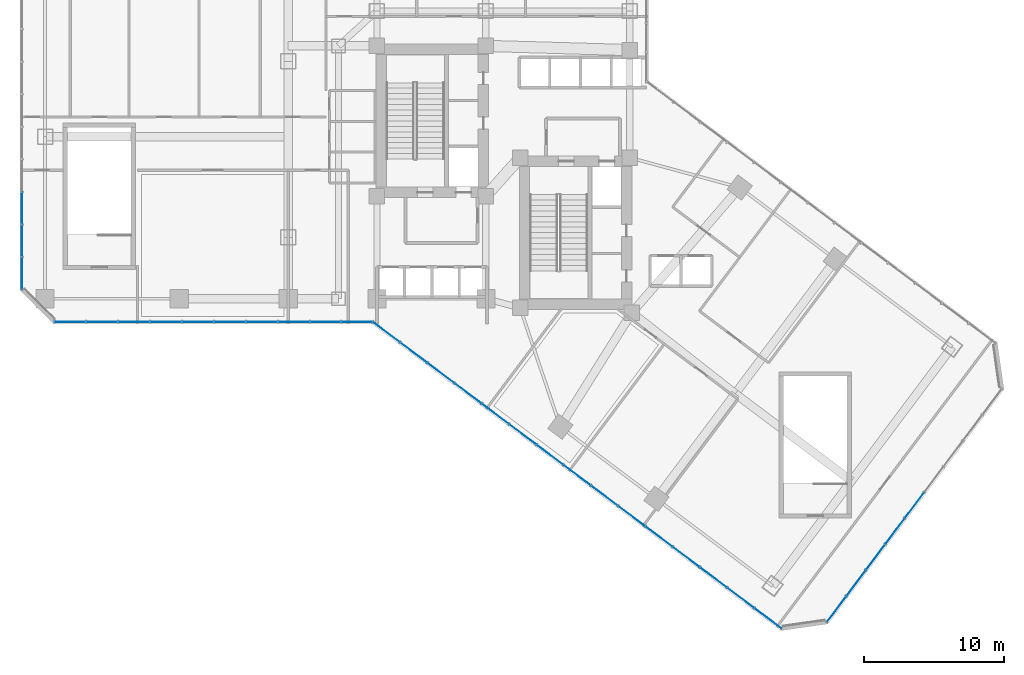
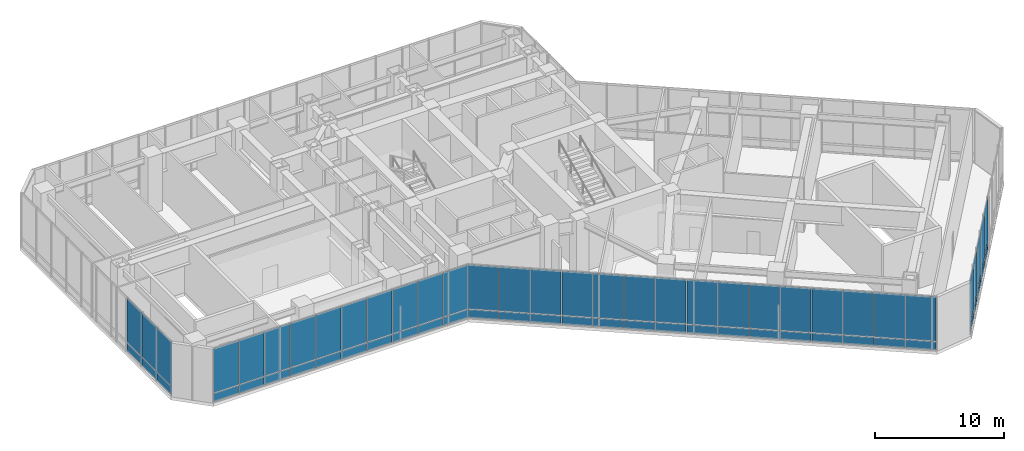
# One storey, part 30 of 38: 66 plates, 5 elements without a shape of their own.
"""IFC4 building model written with IfcOpenShell, lengths in metres."""

from ifc_helpers import new_model, si_unit, direction, frame, origin, origin_2d, place, context, subcontext, project, spatial, rectangle, extrude, material, layer, layer_set, type_object, element, aggregate, save


model = new_model("IFC4")

# Units and contexts
model_context = context("Model", 3, precision=1e-05, world=origin(), true_north=direction((0.0, 1.0)))
body_context = subcontext(model_context, "Body", "Model", "MODEL_VIEW")
ifc_project = project(units=[si_unit("LENGTHUNIT", "METRE"), si_unit("AREAUNIT", "SQUARE_METRE"), si_unit("VOLUMEUNIT", "CUBIC_METRE"), si_unit("PLANEANGLEUNIT", "RADIAN"), si_unit("MASSUNIT", "GRAM", prefix="KILO")], contexts=[model_context])

# Site, building, storey
site_placement = place(None, origin())
site = spatial("IfcSite", under=ifc_project, at=site_placement, CompositionType="ELEMENT")
building_placement = place(site_placement, origin())
building = spatial("IfcBuilding", under=site, at=building_placement, Name="Hatsunagi Terrace Concourse", CompositionType="ELEMENT")
storey_placement = place(building_placement, frame((0.0, 0.0, 21.60009765625)))
storey = spatial("IfcBuildingStorey", under=building, at=storey_placement, Name="L05", CompositionType="ELEMENT", Elevation=21.60009765625)

# Curtain wall, plates
ifc_material_1 = material(Name="Anodised Aluminium Alloy 6063-T5", Category="aluminium")
ifc_layer_1 = layer(ifc_material_1, 0.199951171875)
ifc_layer_set_1 = layer_set([ifc_layer_1], Name="PodiumStorefront_CW01")
curtain_wall_type = type_object("IfcCurtainWallType", Name="PodiumStorefront_CW01", PredefinedType="NOTDEFINED", material=ifc_layer_set_1)
curtain_wall_1_placement = place(storey_placement, origin())
curtain_wall_1 = element("IfcCurtainWall", 1, at=curtain_wall_1_placement, inside=storey, type_object=curtain_wall_type, Name="Unitised Curtain Wall CW-01 CW-L05-03", PredefinedType="NOTDEFINED")
ifc_material_2 = material(Name="Warm Terracotta Ceramic Spandrel Panel", Category="masonry")
ifc_layer_2 = layer(ifc_material_2, 0.031982421875)
ifc_layer_set_2 = layer_set([ifc_layer_2], Name="CurtainWallSpandrelPanel_32")
plate_type_1 = type_object("IfcPlateType", Name="CurtainWallSpandrelPanel_32", PredefinedType="SHEET", material=ifc_layer_set_2)
plate_1_placement = place(storey_placement, frame((64.028076171875, 10.404052734375, 0.02978515625), z_axis=(0.0, 0.0, 1.0), x_axis=(-0.599969314634, -0.800023013105, 0.0)))
plate_1 = element("IfcPlate", 2, at=plate_1_placement, type_object=plate_type_1, Name="Terracotta Spandrel Panel SPN-01", PredefinedType="SHEET", context=body_context, shape_type="SweptSolid", body=[
    extrude(rectangle(XDim=2.264892578125, YDim=0.031982421875, at=origin_2d()), origin(), (0.0, 0.0, 1.0), 0.7900390625),
])
plate_2_placement = place(storey_placement, frame((62.635986328125, 8.548095703125, 0.02978515625), z_axis=(0.0, 0.0, 1.0), x_axis=(-0.599969314634, -0.800023013105, 0.0)))
plate_2 = element("IfcPlate", 3, at=plate_2_placement, type_object=plate_type_1, Name="Terracotta Spandrel Panel SPN-01", PredefinedType="SHEET", context=body_context, shape_type="SweptSolid", body=[
    extrude(rectangle(XDim=2.264892578125, YDim=0.031982421875, at=origin_2d()), origin(), (0.0, 0.0, 1.0), 0.7900390625),
])
plate_3_placement = place(storey_placement, frame((61.243896484375, 6.69091796875, 0.02978515625), z_axis=(0.0, 0.0, 1.0), x_axis=(-0.599969314634, -0.800023013105, 0.0)))
plate_3 = element("IfcPlate", 4, at=plate_3_placement, type_object=plate_type_1, Name="Terracotta Spandrel Panel SPN-01", PredefinedType="SHEET", context=body_context, shape_type="SweptSolid", body=[
    extrude(rectangle(XDim=2.264892578125, YDim=0.031982421875, at=origin_2d()), origin(), (0.0, 0.0, 1.0), 0.7900390625),
])
plate_4_placement = place(storey_placement, frame((59.85107421875, 4.8349609375, 0.02978515625), z_axis=(0.0, 0.0, 1.0), x_axis=(-0.599969314634, -0.800023013105, 0.0)))
plate_4 = element("IfcPlate", 5, at=plate_4_placement, type_object=plate_type_1, Name="Terracotta Spandrel Panel SPN-01", PredefinedType="SHEET", context=body_context, shape_type="SweptSolid", body=[
    extrude(rectangle(XDim=2.264892578125, YDim=0.031982421875, at=origin_2d()), origin(), (0.0, 0.0, 1.0), 0.7900390625),
])
plate_5_placement = place(storey_placement, frame((58.458984375, 2.97802734375, 0.02978515625), z_axis=(0.0, 0.0, 1.0), x_axis=(-0.599969314634, -0.800023013105, 0.0)))
plate_5 = element("IfcPlate", 6, at=plate_5_placement, type_object=plate_type_1, Name="Terracotta Spandrel Panel SPN-01", PredefinedType="SHEET", context=body_context, shape_type="SweptSolid", body=[
    extrude(rectangle(XDim=2.264892578125, YDim=0.031982421875, at=origin_2d()), origin(), (0.0, 0.0, 1.0), 0.7900390625),
])

curtain_wall_2_placement = place(storey_placement, origin())
curtain_wall_2 = element("IfcCurtainWall", 7, at=curtain_wall_2_placement, inside=storey, type_object=curtain_wall_type, Name="Unitised Curtain Wall CW-01 CW-L05-05", PredefinedType="NOTDEFINED")
plate_6_placement = place(storey_placement, frame((53.5419921875, 2.319091796875, 0.02978515625), z_axis=(0.0, 0.0, 1.0), x_axis=(-0.800003116929, 0.599995844072, 0.0)))
plate_6 = element("IfcPlate", 8, at=plate_6_placement, type_object=plate_type_1, Name="Terracotta Spandrel Panel SPN-01", PredefinedType="SHEET", context=body_context, shape_type="SweptSolid", body=[
    extrude(rectangle(XDim=2.384033203125, YDim=0.031982421875, at=origin_2d()), origin(), (0.0, 0.0, 1.0), 0.7900390625),
])
plate_7_placement = place(storey_placement, frame((51.591064453125, 3.781982421875, 0.02978515625), z_axis=(0.0, 0.0, 1.0), x_axis=(-0.800003116929, 0.599995844072, 0.0)))
plate_7 = element("IfcPlate", 9, at=plate_7_placement, type_object=plate_type_1, Name="Terracotta Spandrel Panel SPN-01", PredefinedType="SHEET", context=body_context, shape_type="SweptSolid", body=[
    extrude(rectangle(XDim=2.384033203125, YDim=0.031982421875, at=origin_2d()), origin(), (0.0, 0.0, 1.0), 0.7900390625),
])
plate_8_placement = place(storey_placement, frame((49.638916015625, 5.24609375, 0.02978515625), z_axis=(0.0, 0.0, 1.0), x_axis=(-0.800003116929, 0.599995844072, 0.0)))
plate_8 = element("IfcPlate", 10, at=plate_8_placement, type_object=plate_type_1, Name="Terracotta Spandrel Panel SPN-01", PredefinedType="SHEET", context=body_context, shape_type="SweptSolid", body=[
    extrude(rectangle(XDim=2.384033203125, YDim=0.031982421875, at=origin_2d()), origin(), (0.0, 0.0, 1.0), 0.7900390625),
])
plate_9_placement = place(storey_placement, frame((47.68798828125, 6.708984375, 0.02978515625), z_axis=(0.0, 0.0, 1.0), x_axis=(-0.800003116929, 0.599995844072, 0.0)))
plate_9 = element("IfcPlate", 11, at=plate_9_placement, type_object=plate_type_1, Name="Terracotta Spandrel Panel SPN-01", PredefinedType="SHEET", context=body_context, shape_type="SweptSolid", body=[
    extrude(rectangle(XDim=2.384033203125, YDim=0.031982421875, at=origin_2d()), origin(), (0.0, 0.0, 1.0), 0.7900390625),
])
plate_10_placement = place(storey_placement, frame((45.737060546875, 8.173095703125, 0.02978515625), z_axis=(0.0, 0.0, 1.0), x_axis=(-0.800003116929, 0.599995844072, 0.0)))
plate_10 = element("IfcPlate", 12, at=plate_10_placement, type_object=plate_type_1, Name="Terracotta Spandrel Panel SPN-01", PredefinedType="SHEET", context=body_context, shape_type="SweptSolid", body=[
    extrude(rectangle(XDim=2.384033203125, YDim=0.031982421875, at=origin_2d()), origin(), (0.0, 0.0, 1.0), 0.7900390625),
])
plate_11_placement = place(storey_placement, frame((43.784912109375, 9.635986328125, 0.02978515625), z_axis=(0.0, 0.0, 1.0), x_axis=(-0.800003116929, 0.599995844072, 0.0)))
plate_11 = element("IfcPlate", 13, at=plate_11_placement, type_object=plate_type_1, Name="Terracotta Spandrel Panel SPN-01", PredefinedType="SHEET", context=body_context, shape_type="SweptSolid", body=[
    extrude(rectangle(XDim=2.384033203125, YDim=0.031982421875, at=origin_2d()), origin(), (0.0, 0.0, 1.0), 0.7900390625),
])
plate_12_placement = place(storey_placement, frame((41.833984375, 11.10009765625, 0.02978515625), z_axis=(0.0, 0.0, 1.0), x_axis=(-0.800003116929, 0.599995844072, 0.0)))
plate_12 = element("IfcPlate", 14, at=plate_12_placement, type_object=plate_type_1, Name="Terracotta Spandrel Panel SPN-01", PredefinedType="SHEET", context=body_context, shape_type="SweptSolid", body=[
    extrude(rectangle(XDim=2.384033203125, YDim=0.031982421875, at=origin_2d()), origin(), (0.0, 0.0, 1.0), 0.7900390625),
])
plate_13_placement = place(storey_placement, frame((39.883056640625, 12.56298828125, 0.02978515625), z_axis=(0.0, 0.0, 1.0), x_axis=(-0.800003116929, 0.599995844072, 0.0)))
plate_13 = element("IfcPlate", 15, at=plate_13_placement, type_object=plate_type_1, Name="Terracotta Spandrel Panel SPN-01", PredefinedType="SHEET", context=body_context, shape_type="SweptSolid", body=[
    extrude(rectangle(XDim=2.384033203125, YDim=0.031982421875, at=origin_2d()), origin(), (0.0, 0.0, 1.0), 0.7900390625),
])
plate_14_placement = place(storey_placement, frame((37.930908203125, 14.027099609375, 0.02978515625), z_axis=(0.0, 0.0, 1.0), x_axis=(-0.800003116929, 0.599995844072, 0.0)))
plate_14 = element("IfcPlate", 16, at=plate_14_placement, type_object=plate_type_1, Name="Terracotta Spandrel Panel SPN-01", PredefinedType="SHEET", context=body_context, shape_type="SweptSolid", body=[
    extrude(rectangle(XDim=2.384033203125, YDim=0.031982421875, at=origin_2d()), origin(), (0.0, 0.0, 1.0), 0.7900390625),
])
plate_15_placement = place(storey_placement, frame((35.97998046875, 15.490966796875, 0.02978515625), z_axis=(0.0, 0.0, 1.0), x_axis=(-0.800003116929, 0.599995844072, 0.0)))
plate_15 = element("IfcPlate", 17, at=plate_15_placement, type_object=plate_type_1, Name="Terracotta Spandrel Panel SPN-01", PredefinedType="SHEET", context=body_context, shape_type="SweptSolid", body=[
    extrude(rectangle(XDim=2.384033203125, YDim=0.031982421875, at=origin_2d()), origin(), (0.0, 0.0, 1.0), 0.7900390625),
])
plate_16_placement = place(storey_placement, frame((34.028076171875, 16.9541015625, 0.02978515625), z_axis=(0.0, 0.0, 1.0), x_axis=(-0.800003116929, 0.599995844072, 0.0)))
plate_16 = element("IfcPlate", 18, at=plate_16_placement, type_object=plate_type_1, Name="Terracotta Spandrel Panel SPN-01", PredefinedType="SHEET", context=body_context, shape_type="SweptSolid", body=[
    extrude(rectangle(XDim=2.384033203125, YDim=0.031982421875, at=origin_2d()), origin(), (0.0, 0.0, 1.0), 0.7900390625),
])
plate_17_placement = place(storey_placement, frame((32.076904296875, 18.41796875, 0.02978515625), z_axis=(0.0, 0.0, 1.0), x_axis=(-0.800003116929, 0.599995844072, 0.0)))
plate_17 = element("IfcPlate", 19, at=plate_17_placement, type_object=plate_type_1, Name="Terracotta Spandrel Panel SPN-01", PredefinedType="SHEET", context=body_context, shape_type="SweptSolid", body=[
    extrude(rectangle(XDim=2.384033203125, YDim=0.031982421875, at=origin_2d()), origin(), (0.0, 0.0, 1.0), 0.7900390625),
])
plate_18_placement = place(storey_placement, frame((30.1259765625, 19.881103515625, 0.02978515625), z_axis=(0.0, 0.0, 1.0), x_axis=(-0.800003116929, 0.599995844072, 0.0)))
plate_18 = element("IfcPlate", 20, at=plate_18_placement, type_object=plate_type_1, Name="Terracotta Spandrel Panel SPN-01", PredefinedType="SHEET", context=body_context, shape_type="SweptSolid", body=[
    extrude(rectangle(XDim=2.384033203125, YDim=0.031982421875, at=origin_2d()), origin(), (0.0, 0.0, 1.0), 0.7900390625),
])
plate_19_placement = place(storey_placement, frame((28.174072265625, 21.344970703125, 0.02978515625), z_axis=(0.0, 0.0, 1.0), x_axis=(-0.800003116929, 0.599995844072, 0.0)))
plate_19 = element("IfcPlate", 21, at=plate_19_placement, type_object=plate_type_1, Name="Terracotta Spandrel Panel SPN-01", PredefinedType="SHEET", context=body_context, shape_type="SweptSolid", body=[
    extrude(rectangle(XDim=2.384033203125, YDim=0.031982421875, at=origin_2d()), origin(), (0.0, 0.0, 1.0), 0.7900390625),
])
plate_20_placement = place(storey_placement, frame((26.222900390625, 22.80810546875, 0.02978515625), z_axis=(0.0, 0.0, 1.0), x_axis=(-0.800003116929, 0.599995844072, 0.0)))
plate_20 = element("IfcPlate", 22, at=plate_20_placement, type_object=plate_type_1, Name="Terracotta Spandrel Panel SPN-01", PredefinedType="SHEET", context=body_context, shape_type="SweptSolid", body=[
    extrude(rectangle(XDim=2.384033203125, YDim=0.031982421875, at=origin_2d()), origin(), (0.0, 0.0, 1.0), 0.7900390625),
])

curtain_wall_3_placement = place(storey_placement, origin())
curtain_wall_3 = element("IfcCurtainWall", 23, at=curtain_wall_3_placement, inside=storey, type_object=curtain_wall_type, Name="Unitised Curtain Wall CW-01 CW-L05-06", PredefinedType="NOTDEFINED")
plate_21_placement = place(storey_placement, frame((24.1220703125, 23.5400390625, 0.02978515625), z_axis=(0.0, 0.0, 1.0), x_axis=(-1.0, 0.0, 0.0)))
plate_21 = element("IfcPlate", 24, at=plate_21_placement, type_object=plate_type_1, Name="Terracotta Spandrel Panel SPN-01", PredefinedType="SHEET", context=body_context, shape_type="SweptSolid", body=[
    extrude(rectangle(XDim=2.194091796875, YDim=0.031982421875, at=origin_2d()), origin(), (0.0, 0.0, 1.0), 0.7900390625),
])
plate_22_placement = place(storey_placement, frame((21.873046875, 23.5400390625, 0.02978515625), z_axis=(0.0, 0.0, 1.0), x_axis=(-1.0, 0.0, 0.0)))
plate_22 = element("IfcPlate", 25, at=plate_22_placement, type_object=plate_type_1, Name="Terracotta Spandrel Panel SPN-01", PredefinedType="SHEET", context=body_context, shape_type="SweptSolid", body=[
    extrude(rectangle(XDim=2.194091796875, YDim=0.031982421875, at=origin_2d()), origin(), (0.0, 0.0, 1.0), 0.7900390625),
])
plate_23_placement = place(storey_placement, frame((19.6240234375, 23.5400390625, 0.02978515625), z_axis=(0.0, 0.0, 1.0), x_axis=(-1.0, 0.0, 0.0)))
plate_23 = element("IfcPlate", 26, at=plate_23_placement, type_object=plate_type_1, Name="Terracotta Spandrel Panel SPN-01", PredefinedType="SHEET", context=body_context, shape_type="SweptSolid", body=[
    extrude(rectangle(XDim=2.194091796875, YDim=0.031982421875, at=origin_2d()), origin(), (0.0, 0.0, 1.0), 0.7900390625),
])

curtain_wall_4_placement = place(storey_placement, origin())
curtain_wall_4 = element("IfcCurtainWall", 27, at=curtain_wall_4_placement, inside=storey, type_object=curtain_wall_type, Name="Unitised Curtain Wall CW-01 CW-L05-07", PredefinedType="NOTDEFINED")
plate_24_placement = place(storey_placement, frame((17.35400390625, 23.5400390625, 0.02978515625), z_axis=(0.0, 0.0, 1.0), x_axis=(-1.0, 0.0, 0.0)))
plate_24 = element("IfcPlate", 28, at=plate_24_placement, type_object=plate_type_1, Name="Terracotta Spandrel Panel SPN-01", PredefinedType="SHEET", context=body_context, shape_type="SweptSolid", body=[
    extrude(rectangle(XDim=2.237060546875, YDim=0.031982421875, at=origin_2d()), origin(), (0.0, 0.0, 1.0), 0.7900390625),
])
plate_25_placement = place(storey_placement, frame((15.06201171875, 23.5400390625, 0.02978515625), z_axis=(0.0, 0.0, 1.0), x_axis=(-1.0, 0.0, 0.0)))
plate_25 = element("IfcPlate", 29, at=plate_25_placement, type_object=plate_type_1, Name="Terracotta Spandrel Panel SPN-01", PredefinedType="SHEET", context=body_context, shape_type="SweptSolid", body=[
    extrude(rectangle(XDim=2.237060546875, YDim=0.031982421875, at=origin_2d()), origin(), (0.0, 0.0, 1.0), 0.7900390625),
])
plate_26_placement = place(storey_placement, frame((12.77099609375, 23.5400390625, 0.02978515625), z_axis=(0.0, 0.0, 1.0), x_axis=(-1.0, 0.0, 0.0)))
plate_26 = element("IfcPlate", 30, at=plate_26_placement, type_object=plate_type_1, Name="Terracotta Spandrel Panel SPN-01", PredefinedType="SHEET", context=body_context, shape_type="SweptSolid", body=[
    extrude(rectangle(XDim=2.237060546875, YDim=0.031982421875, at=origin_2d()), origin(), (0.0, 0.0, 1.0), 0.7900390625),
])
plate_27_placement = place(storey_placement, frame((10.47900390625, 23.5400390625, 0.02978515625), z_axis=(0.0, 0.0, 1.0), x_axis=(-1.0, 0.0, 0.0)))
plate_27 = element("IfcPlate", 31, at=plate_27_placement, type_object=plate_type_1, Name="Terracotta Spandrel Panel SPN-01", PredefinedType="SHEET", context=body_context, shape_type="SweptSolid", body=[
    extrude(rectangle(XDim=2.237060546875, YDim=0.031982421875, at=origin_2d()), origin(), (0.0, 0.0, 1.0), 0.7900390625),
])
plate_28_placement = place(storey_placement, frame((8.18701171875, 23.5400390625, 0.02978515625), z_axis=(0.0, 0.0, 1.0), x_axis=(-1.0, 0.0, 0.0)))
plate_28 = element("IfcPlate", 32, at=plate_28_placement, type_object=plate_type_1, Name="Terracotta Spandrel Panel SPN-01", PredefinedType="SHEET", context=body_context, shape_type="SweptSolid", body=[
    extrude(rectangle(XDim=2.237060546875, YDim=0.031982421875, at=origin_2d()), origin(), (0.0, 0.0, 1.0), 0.7900390625),
])
plate_29_placement = place(storey_placement, frame((5.89599609375, 23.5400390625, 0.02978515625), z_axis=(0.0, 0.0, 1.0), x_axis=(-1.0, 0.0, 0.0)))
plate_29 = element("IfcPlate", 33, at=plate_29_placement, type_object=plate_type_1, Name="Terracotta Spandrel Panel SPN-01", PredefinedType="SHEET", context=body_context, shape_type="SweptSolid", body=[
    extrude(rectangle(XDim=2.237060546875, YDim=0.031982421875, at=origin_2d()), origin(), (0.0, 0.0, 1.0), 0.7900390625),
])
plate_30_placement = place(storey_placement, frame((3.60400390625, 23.5400390625, 0.02978515625), z_axis=(0.0, 0.0, 1.0), x_axis=(-1.0, 0.0, 0.0)))
plate_30 = element("IfcPlate", 34, at=plate_30_placement, type_object=plate_type_1, Name="Terracotta Spandrel Panel SPN-01", PredefinedType="SHEET", context=body_context, shape_type="SweptSolid", body=[
    extrude(rectangle(XDim=2.237060546875, YDim=0.031982421875, at=origin_2d()), origin(), (0.0, 0.0, 1.0), 0.7900390625),
])

curtain_wall_5_placement = place(storey_placement, origin())
curtain_wall_5 = element("IfcCurtainWall", 35, at=curtain_wall_5_placement, inside=storey, type_object=curtain_wall_type, Name="Unitised Curtain Wall CW-01 CW-L05-09", PredefinedType="NOTDEFINED")
plate_31_placement = place(storey_placement, frame((0.139892578125, 27.02197265625, 0.02978515625), z_axis=(0.0, 0.0, 1.0), x_axis=(0.0, 1.0, 0.0)))
plate_31 = element("IfcPlate", 36, at=plate_31_placement, type_object=plate_type_1, Name="Terracotta Spandrel Panel SPN-01", PredefinedType="SHEET", context=body_context, shape_type="SweptSolid", body=[
    extrude(rectangle(XDim=2.27294921875, YDim=0.031982421875, at=origin_2d()), origin(), (0.0, 0.0, 1.0), 0.7900390625),
])
plate_32_placement = place(storey_placement, frame((0.139892578125, 29.35107421875, 0.02978515625), z_axis=(0.0, 0.0, 1.0), x_axis=(0.0, 1.0, 0.0)))
plate_32 = element("IfcPlate", 37, at=plate_32_placement, type_object=plate_type_1, Name="Terracotta Spandrel Panel SPN-01", PredefinedType="SHEET", context=body_context, shape_type="SweptSolid", body=[
    extrude(rectangle(XDim=2.27294921875, YDim=0.031982421875, at=origin_2d()), origin(), (0.0, 0.0, 1.0), 0.7900390625),
])
plate_33_placement = place(storey_placement, frame((0.139892578125, 31.678955078125, 0.02978515625), z_axis=(0.0, 0.0, 1.0), x_axis=(0.0, 1.0, 0.0)))
plate_33 = element("IfcPlate", 38, at=plate_33_placement, type_object=plate_type_1, Name="Terracotta Spandrel Panel SPN-01", PredefinedType="SHEET", context=body_context, shape_type="SweptSolid", body=[
    extrude(rectangle(XDim=2.27294921875, YDim=0.031982421875, at=origin_2d()), origin(), (0.0, 0.0, 1.0), 0.7900390625),
])

# Plate
ifc_material_3 = material(Name="Low-E Double Insulating Glass 28mm", Category="glass")
ifc_layer_3 = layer(ifc_material_3, 0.028076171875)
ifc_layer_set_3 = layer_set([ifc_layer_3], Name="CurtainWallVisionGlass_28")
plate_type_2 = type_object("IfcPlateType", Name="CurtainWallVisionGlass_28", PredefinedType="CURTAIN_PANEL", material=ifc_layer_set_3)
plate_34_placement = place(storey_placement, frame((64.028076171875, 10.404052734375, 0.8798828125), z_axis=(0.0, 0.0, 1.0), x_axis=(-0.599969314634, -0.800023013105, 0.0)))
plate_34 = element("IfcPlate", 39, at=plate_34_placement, type_object=plate_type_2, Name="Low-E Vision Glass Panel GLZ-01", PredefinedType="CURTAIN_PANEL", context=body_context, shape_type="SweptSolid", body=[
    extrude(rectangle(XDim=2.264892578125, YDim=0.028076171875, at=origin_2d()), origin(), (0.0, 0.0, 1.0), 4.18994140625),
])

plate_35_placement = place(storey_placement, frame((62.635986328125, 8.548095703125, 0.8798828125), z_axis=(0.0, 0.0, 1.0), x_axis=(-0.599969314634, -0.800023013105, 0.0)))
plate_35 = element("IfcPlate", 40, at=plate_35_placement, type_object=plate_type_2, Name="Low-E Vision Glass Panel GLZ-01", PredefinedType="CURTAIN_PANEL", context=body_context, shape_type="SweptSolid", body=[
    extrude(rectangle(XDim=2.264892578125, YDim=0.028076171875, at=origin_2d()), origin(), (0.0, 0.0, 1.0), 4.18994140625),
])

plate_36_placement = place(storey_placement, frame((61.243896484375, 6.69091796875, 0.8798828125), z_axis=(0.0, 0.0, 1.0), x_axis=(-0.599969314634, -0.800023013105, 0.0)))
plate_36 = element("IfcPlate", 41, at=plate_36_placement, type_object=plate_type_2, Name="Low-E Vision Glass Panel GLZ-01", PredefinedType="CURTAIN_PANEL", context=body_context, shape_type="SweptSolid", body=[
    extrude(rectangle(XDim=2.264892578125, YDim=0.028076171875, at=origin_2d()), origin(), (0.0, 0.0, 1.0), 4.18994140625),
])

plate_37_placement = place(storey_placement, frame((59.85107421875, 4.8349609375, 0.8798828125), z_axis=(0.0, 0.0, 1.0), x_axis=(-0.599969314634, -0.800023013105, 0.0)))
plate_37 = element("IfcPlate", 42, at=plate_37_placement, type_object=plate_type_2, Name="Low-E Vision Glass Panel GLZ-01", PredefinedType="CURTAIN_PANEL", context=body_context, shape_type="SweptSolid", body=[
    extrude(rectangle(XDim=2.264892578125, YDim=0.028076171875, at=origin_2d()), origin(), (0.0, 0.0, 1.0), 4.18994140625),
])

plate_38_placement = place(storey_placement, frame((58.458984375, 2.97802734375, 0.8798828125), z_axis=(0.0, 0.0, 1.0), x_axis=(-0.599969314634, -0.800023013105, 0.0)))
plate_38 = element("IfcPlate", 43, at=plate_38_placement, type_object=plate_type_2, Name="Low-E Vision Glass Panel GLZ-01", PredefinedType="CURTAIN_PANEL", context=body_context, shape_type="SweptSolid", body=[
    extrude(rectangle(XDim=2.264892578125, YDim=0.028076171875, at=origin_2d()), origin(), (0.0, 0.0, 1.0), 4.18994140625),
])

aggregate(curtain_wall_1, [plate_1, plate_34, plate_2, plate_35, plate_3, plate_36, plate_4, plate_37, plate_5, plate_38])

plate_39_placement = place(storey_placement, frame((53.5419921875, 2.319091796875, 0.8798828125), z_axis=(0.0, 0.0, 1.0), x_axis=(-0.800003116929, 0.599995844072, 0.0)))
plate_39 = element("IfcPlate", 44, at=plate_39_placement, type_object=plate_type_2, Name="Low-E Vision Glass Panel GLZ-01", PredefinedType="CURTAIN_PANEL", context=body_context, shape_type="SweptSolid", body=[
    extrude(rectangle(XDim=2.384033203125, YDim=0.028076171875, at=origin_2d()), origin(), (0.0, 0.0, 1.0), 4.18994140625),
])

plate_40_placement = place(storey_placement, frame((51.591064453125, 3.781982421875, 0.8798828125), z_axis=(0.0, 0.0, 1.0), x_axis=(-0.800003116929, 0.599995844072, 0.0)))
plate_40 = element("IfcPlate", 45, at=plate_40_placement, type_object=plate_type_2, Name="Low-E Vision Glass Panel GLZ-01", PredefinedType="CURTAIN_PANEL", context=body_context, shape_type="SweptSolid", body=[
    extrude(rectangle(XDim=2.384033203125, YDim=0.028076171875, at=origin_2d()), origin(), (0.0, 0.0, 1.0), 4.18994140625),
])

plate_41_placement = place(storey_placement, frame((49.638916015625, 5.24609375, 0.8798828125), z_axis=(0.0, 0.0, 1.0), x_axis=(-0.800003116929, 0.599995844072, 0.0)))
plate_41 = element("IfcPlate", 46, at=plate_41_placement, type_object=plate_type_2, Name="Low-E Vision Glass Panel GLZ-01", PredefinedType="CURTAIN_PANEL", context=body_context, shape_type="SweptSolid", body=[
    extrude(rectangle(XDim=2.384033203125, YDim=0.028076171875, at=origin_2d()), origin(), (0.0, 0.0, 1.0), 4.18994140625),
])

plate_42_placement = place(storey_placement, frame((47.68798828125, 6.708984375, 0.8798828125), z_axis=(0.0, 0.0, 1.0), x_axis=(-0.800003116929, 0.599995844072, 0.0)))
plate_42 = element("IfcPlate", 47, at=plate_42_placement, type_object=plate_type_2, Name="Low-E Vision Glass Panel GLZ-01", PredefinedType="CURTAIN_PANEL", context=body_context, shape_type="SweptSolid", body=[
    extrude(rectangle(XDim=2.384033203125, YDim=0.028076171875, at=origin_2d()), origin(), (0.0, 0.0, 1.0), 4.18994140625),
])

plate_43_placement = place(storey_placement, frame((45.737060546875, 8.173095703125, 0.8798828125), z_axis=(0.0, 0.0, 1.0), x_axis=(-0.800003116929, 0.599995844072, 0.0)))
plate_43 = element("IfcPlate", 48, at=plate_43_placement, type_object=plate_type_2, Name="Low-E Vision Glass Panel GLZ-01", PredefinedType="CURTAIN_PANEL", context=body_context, shape_type="SweptSolid", body=[
    extrude(rectangle(XDim=2.384033203125, YDim=0.028076171875, at=origin_2d()), origin(), (0.0, 0.0, 1.0), 4.18994140625),
])

plate_44_placement = place(storey_placement, frame((43.784912109375, 9.635986328125, 0.8798828125), z_axis=(0.0, 0.0, 1.0), x_axis=(-0.800003116929, 0.599995844072, 0.0)))
plate_44 = element("IfcPlate", 49, at=plate_44_placement, type_object=plate_type_2, Name="Low-E Vision Glass Panel GLZ-01", PredefinedType="CURTAIN_PANEL", context=body_context, shape_type="SweptSolid", body=[
    extrude(rectangle(XDim=2.384033203125, YDim=0.028076171875, at=origin_2d()), origin(), (0.0, 0.0, 1.0), 4.18994140625),
])

plate_45_placement = place(storey_placement, frame((41.833984375, 11.10009765625, 0.8798828125), z_axis=(0.0, 0.0, 1.0), x_axis=(-0.800003116929, 0.599995844072, 0.0)))
plate_45 = element("IfcPlate", 50, at=plate_45_placement, type_object=plate_type_2, Name="Low-E Vision Glass Panel GLZ-01", PredefinedType="CURTAIN_PANEL", context=body_context, shape_type="SweptSolid", body=[
    extrude(rectangle(XDim=2.384033203125, YDim=0.028076171875, at=origin_2d()), origin(), (0.0, 0.0, 1.0), 4.18994140625),
])

plate_46_placement = place(storey_placement, frame((39.883056640625, 12.56298828125, 0.8798828125), z_axis=(0.0, 0.0, 1.0), x_axis=(-0.800003116929, 0.599995844072, 0.0)))
plate_46 = element("IfcPlate", 51, at=plate_46_placement, type_object=plate_type_2, Name="Low-E Vision Glass Panel GLZ-01", PredefinedType="CURTAIN_PANEL", context=body_context, shape_type="SweptSolid", body=[
    extrude(rectangle(XDim=2.384033203125, YDim=0.028076171875, at=origin_2d()), origin(), (0.0, 0.0, 1.0), 4.18994140625),
])

plate_47_placement = place(storey_placement, frame((37.930908203125, 14.027099609375, 0.8798828125), z_axis=(0.0, 0.0, 1.0), x_axis=(-0.800003116929, 0.599995844072, 0.0)))
plate_47 = element("IfcPlate", 52, at=plate_47_placement, type_object=plate_type_2, Name="Low-E Vision Glass Panel GLZ-01", PredefinedType="CURTAIN_PANEL", context=body_context, shape_type="SweptSolid", body=[
    extrude(rectangle(XDim=2.384033203125, YDim=0.028076171875, at=origin_2d()), origin(), (0.0, 0.0, 1.0), 4.18994140625),
])

plate_48_placement = place(storey_placement, frame((35.97998046875, 15.490966796875, 0.8798828125), z_axis=(0.0, 0.0, 1.0), x_axis=(-0.800003116929, 0.599995844072, 0.0)))
plate_48 = element("IfcPlate", 53, at=plate_48_placement, type_object=plate_type_2, Name="Low-E Vision Glass Panel GLZ-01", PredefinedType="CURTAIN_PANEL", context=body_context, shape_type="SweptSolid", body=[
    extrude(rectangle(XDim=2.384033203125, YDim=0.028076171875, at=origin_2d()), origin(), (0.0, 0.0, 1.0), 4.18994140625),
])

plate_49_placement = place(storey_placement, frame((34.028076171875, 16.9541015625, 0.8798828125), z_axis=(0.0, 0.0, 1.0), x_axis=(-0.800003116929, 0.599995844072, 0.0)))
plate_49 = element("IfcPlate", 54, at=plate_49_placement, type_object=plate_type_2, Name="Low-E Vision Glass Panel GLZ-01", PredefinedType="CURTAIN_PANEL", context=body_context, shape_type="SweptSolid", body=[
    extrude(rectangle(XDim=2.384033203125, YDim=0.028076171875, at=origin_2d()), origin(), (0.0, 0.0, 1.0), 4.18994140625),
])

plate_50_placement = place(storey_placement, frame((32.076904296875, 18.41796875, 0.8798828125), z_axis=(0.0, 0.0, 1.0), x_axis=(-0.800003116929, 0.599995844072, 0.0)))
plate_50 = element("IfcPlate", 55, at=plate_50_placement, type_object=plate_type_2, Name="Low-E Vision Glass Panel GLZ-01", PredefinedType="CURTAIN_PANEL", context=body_context, shape_type="SweptSolid", body=[
    extrude(rectangle(XDim=2.384033203125, YDim=0.028076171875, at=origin_2d()), origin(), (0.0, 0.0, 1.0), 4.18994140625),
])

plate_51_placement = place(storey_placement, frame((30.1259765625, 19.881103515625, 0.8798828125), z_axis=(0.0, 0.0, 1.0), x_axis=(-0.800003116929, 0.599995844072, 0.0)))
plate_51 = element("IfcPlate", 56, at=plate_51_placement, type_object=plate_type_2, Name="Low-E Vision Glass Panel GLZ-01", PredefinedType="CURTAIN_PANEL", context=body_context, shape_type="SweptSolid", body=[
    extrude(rectangle(XDim=2.384033203125, YDim=0.028076171875, at=origin_2d()), origin(), (0.0, 0.0, 1.0), 4.18994140625),
])

plate_52_placement = place(storey_placement, frame((28.174072265625, 21.344970703125, 0.8798828125), z_axis=(0.0, 0.0, 1.0), x_axis=(-0.800003116929, 0.599995844072, 0.0)))
plate_52 = element("IfcPlate", 57, at=plate_52_placement, type_object=plate_type_2, Name="Low-E Vision Glass Panel GLZ-01", PredefinedType="CURTAIN_PANEL", context=body_context, shape_type="SweptSolid", body=[
    extrude(rectangle(XDim=2.384033203125, YDim=0.028076171875, at=origin_2d()), origin(), (0.0, 0.0, 1.0), 4.18994140625),
])

plate_53_placement = place(storey_placement, frame((26.222900390625, 22.80810546875, 0.8798828125), z_axis=(0.0, 0.0, 1.0), x_axis=(-0.800003116929, 0.599995844072, 0.0)))
plate_53 = element("IfcPlate", 58, at=plate_53_placement, type_object=plate_type_2, Name="Low-E Vision Glass Panel GLZ-01", PredefinedType="CURTAIN_PANEL", context=body_context, shape_type="SweptSolid", body=[
    extrude(rectangle(XDim=2.384033203125, YDim=0.028076171875, at=origin_2d()), origin(), (0.0, 0.0, 1.0), 4.18994140625),
])

aggregate(curtain_wall_2, [plate_6, plate_39, plate_7, plate_40, plate_8, plate_41, plate_9, plate_42, plate_10, plate_43, plate_11, plate_44, plate_12, plate_45, plate_13, plate_46, plate_14, plate_47, plate_15, plate_48, plate_16, plate_49, plate_17, plate_50, plate_18, plate_51, plate_19, plate_52, plate_20, plate_53])

plate_54_placement = place(storey_placement, frame((24.1220703125, 23.5400390625, 0.8798828125), z_axis=(0.0, 0.0, 1.0), x_axis=(-1.0, 0.0, 0.0)))
plate_54 = element("IfcPlate", 59, at=plate_54_placement, type_object=plate_type_2, Name="Low-E Vision Glass Panel GLZ-01", PredefinedType="CURTAIN_PANEL", context=body_context, shape_type="SweptSolid", body=[
    extrude(rectangle(XDim=2.194091796875, YDim=0.028076171875, at=origin_2d()), origin(), (0.0, 0.0, 1.0), 4.18994140625),
])

plate_55_placement = place(storey_placement, frame((21.873046875, 23.5400390625, 0.8798828125), z_axis=(0.0, 0.0, 1.0), x_axis=(-1.0, 0.0, 0.0)))
plate_55 = element("IfcPlate", 60, at=plate_55_placement, type_object=plate_type_2, Name="Low-E Vision Glass Panel GLZ-01", PredefinedType="CURTAIN_PANEL", context=body_context, shape_type="SweptSolid", body=[
    extrude(rectangle(XDim=2.194091796875, YDim=0.028076171875, at=origin_2d()), origin(), (0.0, 0.0, 1.0), 4.18994140625),
])

plate_56_placement = place(storey_placement, frame((19.6240234375, 23.5400390625, 0.8798828125), z_axis=(0.0, 0.0, 1.0), x_axis=(-1.0, 0.0, 0.0)))
plate_56 = element("IfcPlate", 61, at=plate_56_placement, type_object=plate_type_2, Name="Low-E Vision Glass Panel GLZ-01", PredefinedType="CURTAIN_PANEL", context=body_context, shape_type="SweptSolid", body=[
    extrude(rectangle(XDim=2.194091796875, YDim=0.028076171875, at=origin_2d()), origin(), (0.0, 0.0, 1.0), 4.18994140625),
])

aggregate(curtain_wall_3, [plate_21, plate_54, plate_22, plate_55, plate_23, plate_56])

plate_57_placement = place(storey_placement, frame((17.35400390625, 23.5400390625, 0.8798828125), z_axis=(0.0, 0.0, 1.0), x_axis=(-1.0, 0.0, 0.0)))
plate_57 = element("IfcPlate", 62, at=plate_57_placement, type_object=plate_type_2, Name="Low-E Vision Glass Panel GLZ-01", PredefinedType="CURTAIN_PANEL", context=body_context, shape_type="SweptSolid", body=[
    extrude(rectangle(XDim=2.237060546875, YDim=0.028076171875, at=origin_2d()), origin(), (0.0, 0.0, 1.0), 4.18994140625),
])

plate_58_placement = place(storey_placement, frame((15.06201171875, 23.5400390625, 0.8798828125), z_axis=(0.0, 0.0, 1.0), x_axis=(-1.0, 0.0, 0.0)))
plate_58 = element("IfcPlate", 63, at=plate_58_placement, type_object=plate_type_2, Name="Low-E Vision Glass Panel GLZ-01", PredefinedType="CURTAIN_PANEL", context=body_context, shape_type="SweptSolid", body=[
    extrude(rectangle(XDim=2.237060546875, YDim=0.028076171875, at=origin_2d()), origin(), (0.0, 0.0, 1.0), 4.18994140625),
])

plate_59_placement = place(storey_placement, frame((12.77099609375, 23.5400390625, 0.8798828125), z_axis=(0.0, 0.0, 1.0), x_axis=(-1.0, 0.0, 0.0)))
plate_59 = element("IfcPlate", 64, at=plate_59_placement, type_object=plate_type_2, Name="Low-E Vision Glass Panel GLZ-01", PredefinedType="CURTAIN_PANEL", context=body_context, shape_type="SweptSolid", body=[
    extrude(rectangle(XDim=2.237060546875, YDim=0.028076171875, at=origin_2d()), origin(), (0.0, 0.0, 1.0), 4.18994140625),
])

plate_60_placement = place(storey_placement, frame((10.47900390625, 23.5400390625, 0.8798828125), z_axis=(0.0, 0.0, 1.0), x_axis=(-1.0, 0.0, 0.0)))
plate_60 = element("IfcPlate", 65, at=plate_60_placement, type_object=plate_type_2, Name="Low-E Vision Glass Panel GLZ-01", PredefinedType="CURTAIN_PANEL", context=body_context, shape_type="SweptSolid", body=[
    extrude(rectangle(XDim=2.237060546875, YDim=0.028076171875, at=origin_2d()), origin(), (0.0, 0.0, 1.0), 4.18994140625),
])

plate_61_placement = place(storey_placement, frame((8.18701171875, 23.5400390625, 0.8798828125), z_axis=(0.0, 0.0, 1.0), x_axis=(-1.0, 0.0, 0.0)))
plate_61 = element("IfcPlate", 66, at=plate_61_placement, type_object=plate_type_2, Name="Low-E Vision Glass Panel GLZ-01", PredefinedType="CURTAIN_PANEL", context=body_context, shape_type="SweptSolid", body=[
    extrude(rectangle(XDim=2.237060546875, YDim=0.028076171875, at=origin_2d()), origin(), (0.0, 0.0, 1.0), 4.18994140625),
])

plate_62_placement = place(storey_placement, frame((5.89599609375, 23.5400390625, 0.8798828125), z_axis=(0.0, 0.0, 1.0), x_axis=(-1.0, 0.0, 0.0)))
plate_62 = element("IfcPlate", 67, at=plate_62_placement, type_object=plate_type_2, Name="Low-E Vision Glass Panel GLZ-01", PredefinedType="CURTAIN_PANEL", context=body_context, shape_type="SweptSolid", body=[
    extrude(rectangle(XDim=2.237060546875, YDim=0.028076171875, at=origin_2d()), origin(), (0.0, 0.0, 1.0), 4.18994140625),
])

plate_63_placement = place(storey_placement, frame((3.60400390625, 23.5400390625, 0.8798828125), z_axis=(0.0, 0.0, 1.0), x_axis=(-1.0, 0.0, 0.0)))
plate_63 = element("IfcPlate", 68, at=plate_63_placement, type_object=plate_type_2, Name="Low-E Vision Glass Panel GLZ-01", PredefinedType="CURTAIN_PANEL", context=body_context, shape_type="SweptSolid", body=[
    extrude(rectangle(XDim=2.237060546875, YDim=0.028076171875, at=origin_2d()), origin(), (0.0, 0.0, 1.0), 4.18994140625),
])

aggregate(curtain_wall_4, [plate_24, plate_57, plate_25, plate_58, plate_26, plate_59, plate_27, plate_60, plate_28, plate_61, plate_29, plate_62, plate_30, plate_63])

plate_64_placement = place(storey_placement, frame((0.139892578125, 27.02197265625, 0.8798828125), z_axis=(0.0, 0.0, 1.0), x_axis=(0.0, 1.0, 0.0)))
plate_64 = element("IfcPlate", 69, at=plate_64_placement, type_object=plate_type_2, Name="Low-E Vision Glass Panel GLZ-01", PredefinedType="CURTAIN_PANEL", context=body_context, shape_type="SweptSolid", body=[
    extrude(rectangle(XDim=2.27294921875, YDim=0.028076171875, at=origin_2d()), origin(), (0.0, 0.0, 1.0), 4.18994140625),
])

plate_65_placement = place(storey_placement, frame((0.139892578125, 29.35107421875, 0.8798828125), z_axis=(0.0, 0.0, 1.0), x_axis=(0.0, 1.0, 0.0)))
plate_65 = element("IfcPlate", 70, at=plate_65_placement, type_object=plate_type_2, Name="Low-E Vision Glass Panel GLZ-01", PredefinedType="CURTAIN_PANEL", context=body_context, shape_type="SweptSolid", body=[
    extrude(rectangle(XDim=2.27294921875, YDim=0.028076171875, at=origin_2d()), origin(), (0.0, 0.0, 1.0), 4.18994140625),
])

plate_66_placement = place(storey_placement, frame((0.139892578125, 31.678955078125, 0.8798828125), z_axis=(0.0, 0.0, 1.0), x_axis=(0.0, 1.0, 0.0)))
plate_66 = element("IfcPlate", 71, at=plate_66_placement, type_object=plate_type_2, Name="Low-E Vision Glass Panel GLZ-01", PredefinedType="CURTAIN_PANEL", context=body_context, shape_type="SweptSolid", body=[
    extrude(rectangle(XDim=2.27294921875, YDim=0.028076171875, at=origin_2d()), origin(), (0.0, 0.0, 1.0), 4.18994140625),
])

aggregate(curtain_wall_5, [plate_31, plate_64, plate_32, plate_65, plate_33, plate_66])

save(model, "model.ifc")
